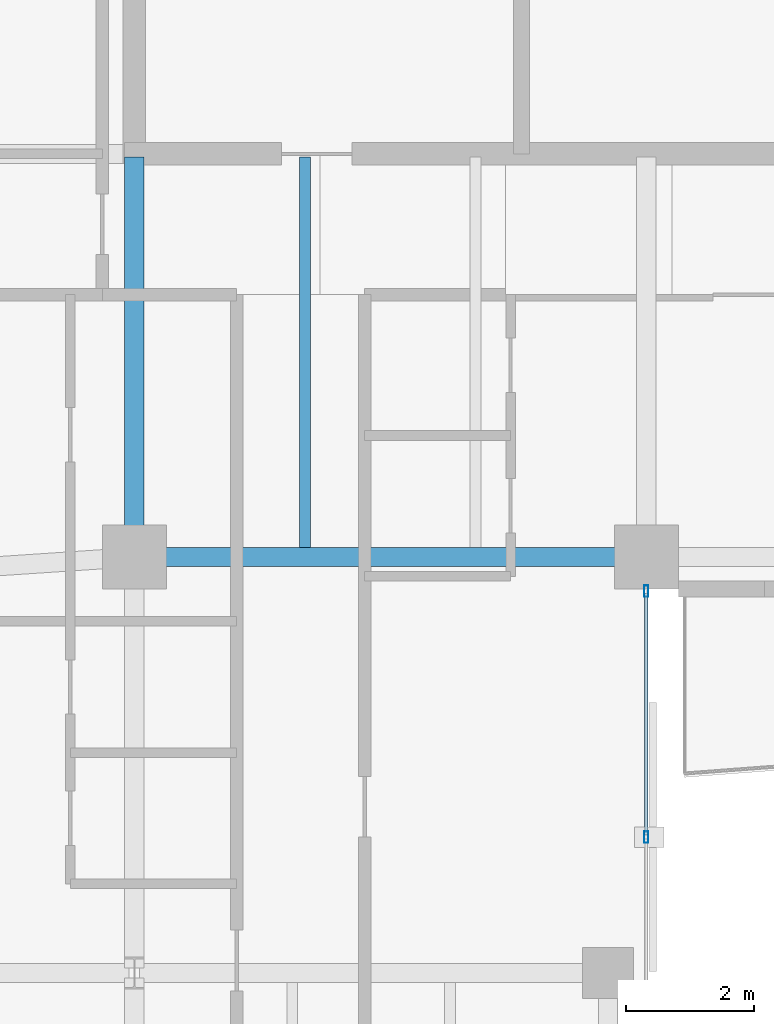
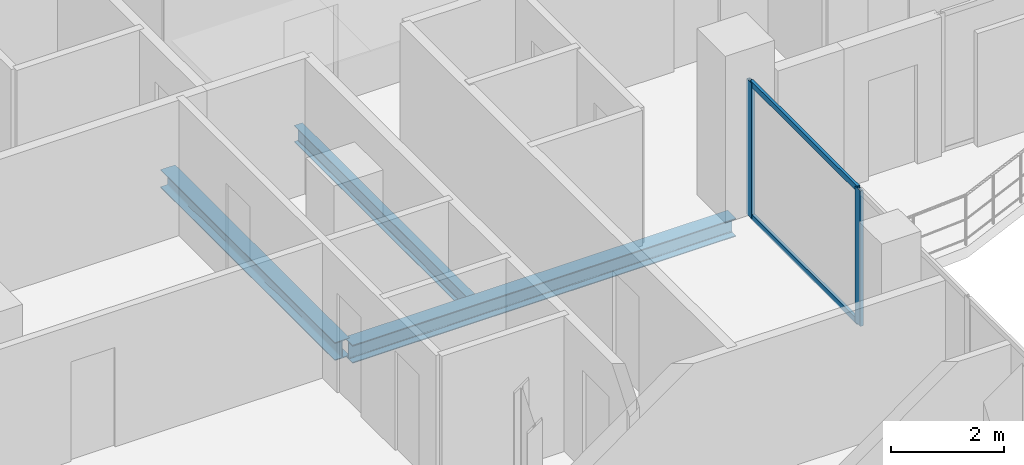
# One storey, part 10 of 24: 4 members, 3 beams, 1 element without a shape of its own.
"""IFC4 building model written with IfcOpenShell, lengths in metres."""

from ifc_helpers import new_model, si_unit, direction, frame, origin, origin_2d, place, context, subcontext, project, spatial, hollow_rectangle, i_section, extrude, material, layer, layer_set, material_profile, profile_set, type_object, element, aggregate, save


model = new_model("IFC4")

# Units and contexts
model_context = context("Model", 3, precision=1e-05, world=origin(), true_north=direction((0.0, 1.0)))
body_context = subcontext(model_context, "Body", "Model", "MODEL_VIEW")
ifc_project = project(units=[si_unit("LENGTHUNIT", "METRE"), si_unit("AREAUNIT", "SQUARE_METRE"), si_unit("VOLUMEUNIT", "CUBIC_METRE"), si_unit("PLANEANGLEUNIT", "RADIAN"), si_unit("MASSUNIT", "GRAM", prefix="KILO")], contexts=[model_context])

# Site, building, storey
site_placement = place(None, origin())
site = spatial("IfcSite", under=ifc_project, at=site_placement, CompositionType="ELEMENT")
building_placement = place(site_placement, origin())
building = spatial("IfcBuilding", under=site, at=building_placement, Name="Catumbela Crestline Tower", CompositionType="ELEMENT")
storey_placement = place(building_placement, frame((0.0, 0.0, 161.4)))
storey = spatial("IfcBuildingStorey", under=building, at=storey_placement, Name="L41", CompositionType="ELEMENT", Elevation=161.4)

# Beams
ifc_material_1 = material(Name="Structural steel S355J2", Category="steel")
ifc_material_profile_1 = material_profile(ifc_material_1, i_section(OverallWidth=0.3, OverallDepth=0.39, WebThickness=0.011, FlangeThickness=0.019, FilletRadius=0.027, at=origin_2d()), Name="HEA 400")
ifc_profile_set_1 = profile_set([ifc_material_profile_1], Name="Structural steel S355J2")
beam_type_1 = type_object("IfcBeamType", Name="BG-HEA400", PredefinedType="BEAM", material=ifc_profile_set_1)
beam_1_placement = place(storey_placement, frame((16.08, 24.5, -0.455), z_axis=(1.0, 0.0, 0.0), x_axis=(0.0, 1.0, 0.0)))
element("IfcBeam", 1, at=beam_1_placement, inside=storey, type_object=beam_type_1, Name="L41 Beam BM-L41-S03", PredefinedType="BEAM", context=body_context, shape_type="SweptSolid", body=[
    extrude(i_section(OverallWidth=0.3, OverallDepth=0.39, WebThickness=0.011, FlangeThickness=0.019, FilletRadius=0.027, at=origin_2d()), origin(), (0.0, 0.0, 1.0), 7.84),
])
beam_2_placement = place(storey_placement, frame((16.0, 24.58, -0.455), z_axis=(0.0, 1.0, 0.0), x_axis=(-1.0, 0.0, 0.0)))
element("IfcBeam", 2, at=beam_2_placement, inside=storey, type_object=beam_type_1, Name="L41 Beam BM-L41-SNS17", PredefinedType="BEAM", context=body_context, shape_type="SweptSolid", body=[
    extrude(i_section(OverallWidth=0.3, OverallDepth=0.39, WebThickness=0.011, FlangeThickness=0.019, FilletRadius=0.027, at=origin_2d()), origin(), (0.0, 0.0, 1.0), 6.17),
])
ifc_material_profile_2 = material_profile(ifc_material_1, i_section(OverallWidth=0.17, OverallDepth=0.36, WebThickness=0.008, FlangeThickness=0.0127, FilletRadius=0.018, at=origin_2d()), Name="IPE 360")
ifc_profile_set_2 = profile_set([ifc_material_profile_2], Name="Structural steel S355J2")
beam_type_2 = type_object("IfcBeamType", Name="BJ-IPE360", PredefinedType="JOIST", material=ifc_profile_set_2)
beam_3_placement = place(storey_placement, frame((18.667, 24.647, -0.44), z_axis=(0.0, 1.0, 0.0), x_axis=(-1.0, 0.0, 0.0)))
element("IfcBeam", 3, at=beam_3_placement, inside=storey, type_object=beam_type_2, Name="L41 Joist JS-L41-SP26", PredefinedType="JOIST", context=body_context, shape_type="SweptSolid", body=[
    extrude(i_section(OverallWidth=0.17, OverallDepth=0.36, WebThickness=0.008, FlangeThickness=0.0127, FilletRadius=0.018, at=origin_2d()), origin(), (0.0, 0.0, 1.0), 6.103),
])

# Curtain wall, members
ifc_material_2 = material(Name="Aluminium alloy AW-6060-T66", Category="aluminium")
ifc_layer = layer(ifc_material_2, 0.18, Name="Aluminium alloy AW-6060-T66")
ifc_layer_set = layer_set([ifc_layer], Name="Aluminium alloy AW-6060-T66")
curtain_wall_type = type_object("IfcCurtainWallType", Name="CWU-Z3", PredefinedType="USERDEFINED", material=ifc_layer_set)
curtain_wall_placement = place(storey_placement, origin())
curtain_wall = element("IfcCurtainWall", 4, at=curtain_wall_placement, inside=storey, type_object=curtain_wall_type, Name="L41 Unitised Curtain Wall CW-L41-E2S1", ObjectType="UNITISED", PredefinedType="USERDEFINED")
ifc_material_profile_3 = material_profile(ifc_material_2, hollow_rectangle(XDim=0.065, YDim=0.18, WallThickness=0.004, at=origin_2d()), Name="ALU 180x65x4")
ifc_profile_set_3 = profile_set([ifc_material_profile_3], Name="Aluminium alloy AW-6060-T66")
member_type_1 = type_object("IfcMemberType", Name="MUL-180X65", PredefinedType="MULLION", material=ifc_profile_set_3)
member_1_placement = place(storey_placement, frame((24.0, 20.125, 0.0), z_axis=(0.0, 0.0, 1.0), x_axis=(-1.0, 0.0, 0.0)))
member_1 = element("IfcMember", 5, at=member_1_placement, type_object=member_type_1, Name="CWU-Z3 mullion 4", PredefinedType="MULLION", context=body_context, shape_type="SweptSolid", body=[
    extrude(hollow_rectangle(XDim=0.065, YDim=0.18, WallThickness=0.004, at=origin_2d()), origin(), (0.0, 0.0, 1.0), 2.93),
])
member_2_placement = place(storey_placement, frame((24.0, 23.9675, 0.0), z_axis=(0.0, 0.0, 1.0), x_axis=(-1.0, 0.0, 0.0)))
member_2 = element("IfcMember", 6, at=member_2_placement, type_object=member_type_1, Name="CWU-Z3 mullion 5", PredefinedType="MULLION", context=body_context, shape_type="SweptSolid", body=[
    extrude(hollow_rectangle(XDim=0.065, YDim=0.18, WallThickness=0.004, at=origin_2d()), origin(), (0.0, 0.0, 1.0), 2.93),
])
ifc_material_profile_4 = material_profile(ifc_material_2, hollow_rectangle(XDim=0.06, YDim=0.12, WallThickness=0.0035, at=origin_2d()), Name="ALU 120x60x3.5")
ifc_profile_set_4 = profile_set([ifc_material_profile_4], Name="Aluminium alloy AW-6060-T66")
member_type_2 = type_object("IfcMemberType", Name="TRN-120X60", PredefinedType="USERDEFINED", material=ifc_profile_set_4)
member_3_placement = place(storey_placement, frame((24.0, 20.1575, 0.03), z_axis=(0.0, 1.0, 0.0), x_axis=(-1.0, 0.0, 0.0)))
member_3 = element("IfcMember", 7, at=member_3_placement, type_object=member_type_2, Name="CWU-Z3 transom 4.1", ObjectType="TRANSOM", PredefinedType="USERDEFINED", context=body_context, shape_type="SweptSolid", body=[
    extrude(hollow_rectangle(XDim=0.06, YDim=0.12, WallThickness=0.0035, at=origin_2d()), origin(), (0.0, 0.0, 1.0), 3.7775),
])
member_4_placement = place(storey_placement, frame((24.0, 20.1575, 2.9), z_axis=(0.0, 1.0, 0.0), x_axis=(-1.0, 0.0, 0.0)))
member_4 = element("IfcMember", 8, at=member_4_placement, type_object=member_type_2, Name="CWU-Z3 transom 4.2", ObjectType="TRANSOM", PredefinedType="USERDEFINED", context=body_context, shape_type="SweptSolid", body=[
    extrude(hollow_rectangle(XDim=0.06, YDim=0.12, WallThickness=0.0035, at=origin_2d()), origin(), (0.0, 0.0, 1.0), 3.7775),
])
aggregate(curtain_wall, [member_1, member_2, member_3, member_4])

save(model, "model.ifc")
